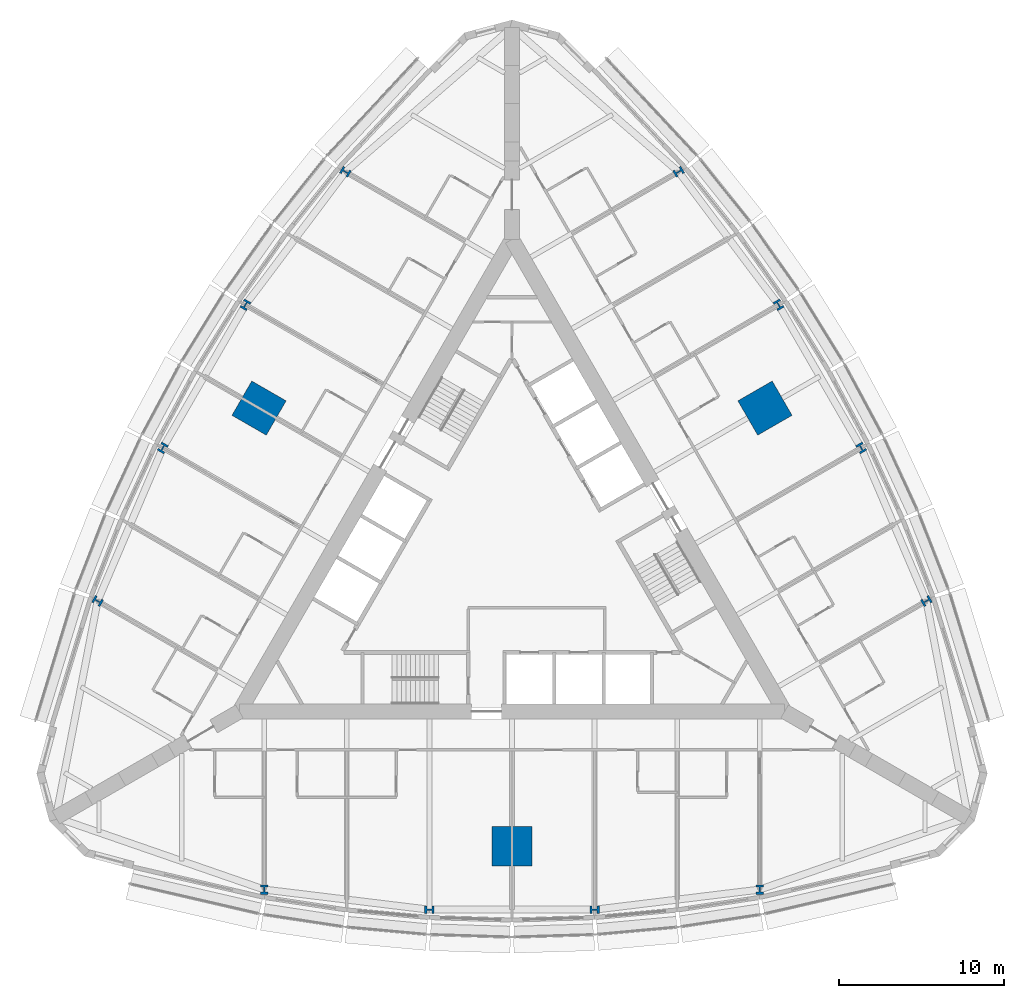
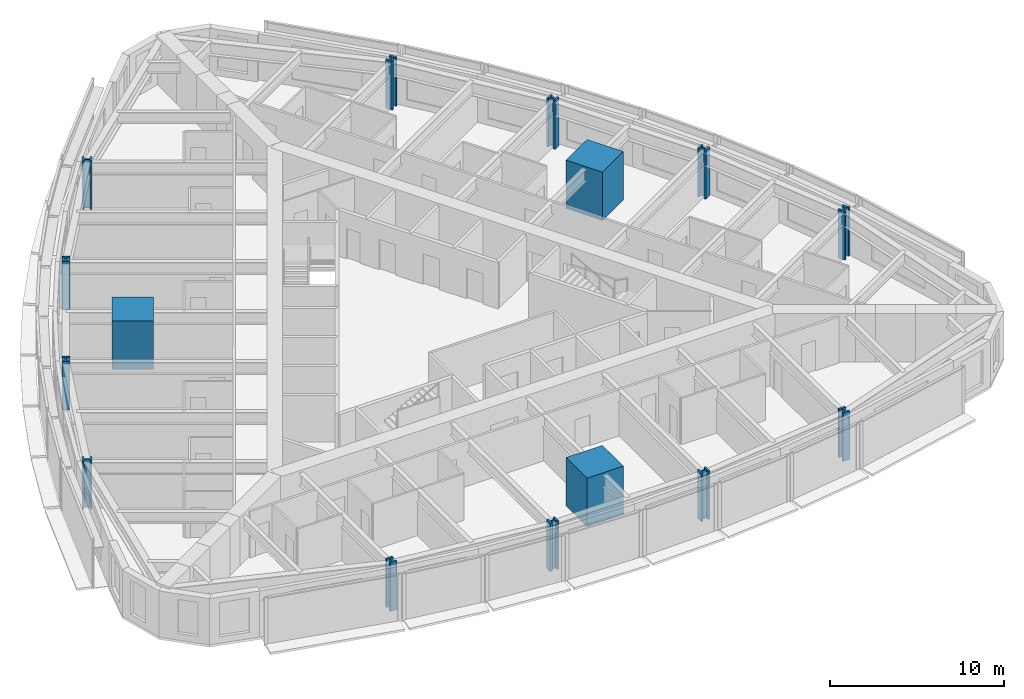
# One storey, part 1 of 14: 15 columns.
"""IFC4 building model written with IfcOpenShell, lengths in metres."""

from ifc_helpers import new_model, si_unit, direction, frame, origin, origin_2d, place, context, subcontext, project, spatial, rectangle, i_section, extrude, material, material_profile, profile_set, type_object, element, save


model = new_model("IFC4")

# Units and contexts
model_context = context("Model", 3, precision=1e-05, world=origin(), true_north=direction((0.0, 1.0)))
body_context = subcontext(model_context, "Body", "Model", "MODEL_VIEW")
ifc_project = project(units=[si_unit("LENGTHUNIT", "METRE"), si_unit("AREAUNIT", "SQUARE_METRE"), si_unit("VOLUMEUNIT", "CUBIC_METRE"), si_unit("PLANEANGLEUNIT", "RADIAN"), si_unit("MASSUNIT", "GRAM", prefix="KILO")], contexts=[model_context])

# Site, building, storey
site_placement = place(None, origin())
site = spatial("IfcSite", under=ifc_project, at=site_placement, CompositionType="ELEMENT")
building_placement = place(site_placement, origin())
building = spatial("IfcBuilding", under=site, at=building_placement, Name="Trikona Tower", CompositionType="ELEMENT")
storey_placement = place(building_placement, frame((0.0, 0.0, 38.699951171875)))
storey = spatial("IfcBuildingStorey", under=building, at=storey_placement, Name="L08", CompositionType="ELEMENT", Elevation=38.699951171875)

# Columns
ifc_material_1 = material(Name="Concrete f'c 10000 psi with encased steel section", Category="concrete")
ifc_material_profile_1 = material_profile(ifc_material_1, rectangle(XDim=2.39990234375, YDim=2.39990234375, at=origin_2d()), Name="MC2400")
ifc_profile_set_1 = profile_set([ifc_material_profile_1], Name="Concrete f'c 10000 psi with encased steel section")
column_type_1 = type_object("IfcColumnType", Name="Composite mega column 2400x2400", PredefinedType="COLUMN", material=ifc_profile_set_1)
for number, where, z_axis, x_axis, name in (
    (1, (0.0, -17.680419921875, 0.0), (0.0, 0.0, 1.0), (0.0, -1.0, 0.0), "Mega column MC1"),
    (2, (15.311767578125, 8.84033203125, 0.0), (0.0, 0.0, 1.0), (0.866025403784, 0.5, 0.0), "Mega column MC2"),
    (3, (-15.311767578125, 8.84033203125, 0.0), (0.0, 0.0, 1.0), (-0.866025403784, 0.5, 0.0), "Mega column MC3"),
):
    element("IfcColumn", number, at=place(storey_placement, frame(where, z_axis=z_axis, x_axis=x_axis)), inside=storey, type_object=column_type_1, Name=name, PredefinedType="COLUMN", context=body_context, shape_type="SweptSolid", body=[
        extrude(rectangle(XDim=2.39990234375, YDim=2.39990234375, at=origin_2d()), origin(), (0.0, 0.0, 1.0), 3.400146484375),
    ])
ifc_material_2 = material(Name="Steel ASTM A992 Grade 50", Category="steel")
ifc_material_profile_2 = material_profile(ifc_material_2, i_section(OverallWidth=0.45458984375, OverallDepth=0.56884765625, WebThickness=0.077880859375, FlangeThickness=0.124755859375, at=origin_2d()), Name="W14X730")
ifc_profile_set_2 = profile_set([ifc_material_profile_2], Name="Steel ASTM A992 Grade 50")
column_type_2 = type_object("IfcColumnType", Name="Steel column W14x730", PredefinedType="COLUMN", material=ifc_profile_set_2)
for number, where, z_axis, x_axis, name in (
    (4, (-15.0, -20.302978515625, 0.0), (0.0, 0.0, 1.0), (1.0, 0.0, 0.0), "Column F0m15"),
    (5, (-5.0, -21.5205078125, 0.0), (0.0, 0.0, 1.0), (0.0, -1.0, 0.0), "Column F0m5"),
    (6, (5.0, -21.5205078125, 0.0), (0.0, 0.0, 1.0), (0.0, -1.0, 0.0), "Column F0p5"),
    (7, (15.0, -20.302978515625, 0.0), (0.0, 0.0, 1.0), (1.0, 0.0, 0.0), "Column F0p15"),
    (8, (25.0830078125, -2.8388671875, 0.0), (0.0, 0.0, 1.0), (-0.5, 0.866025403784, 0.0), "Column F1m15"),
    (9, (21.13720703125, 6.43017578125, 0.0), (0.0, 0.0, 1.0), (0.866025403784, 0.5, 0.0), "Column F1m5"),
    (10, (16.13720703125, 15.09033203125, 0.0), (0.0, 0.0, 1.0), (0.866025403784, 0.5, 0.0), "Column F1p5"),
    (11, (10.0830078125, 23.141845703125, 0.0), (0.0, 0.0, 1.0), (-0.5, 0.866025403784, 0.0), "Column F1p15"),
    (12, (-10.0830078125, 23.141845703125, 0.0), (0.0, 0.0, 1.0), (-0.5, -0.866025403784, 0.0), "Column F2m15"),
    (13, (-16.13720703125, 15.09033203125, 0.0), (0.0, 0.0, 1.0), (-0.866025403784, 0.5, 0.0), "Column F2m5"),
    (14, (-21.13720703125, 6.43017578125, 0.0), (0.0, 0.0, 1.0), (-0.866025403784, 0.5, 0.0), "Column F2p5"),
    (15, (-25.0830078125, -2.8388671875, 0.0), (0.0, 0.0, 1.0), (-0.5, -0.866025403784, 0.0), "Column F2p15"),
):
    element("IfcColumn", number, at=place(storey_placement, frame(where, z_axis=z_axis, x_axis=x_axis)), inside=storey, type_object=column_type_2, Name=name, PredefinedType="COLUMN", context=body_context, shape_type="SweptSolid", body=[
        extrude(i_section(OverallWidth=0.45458984375, OverallDepth=0.56884765625, WebThickness=0.077880859375, FlangeThickness=0.124755859375, at=origin_2d()), origin(), (0.0, 0.0, 1.0), 3.400146484375),
    ])

save(model, "model.ifc")
